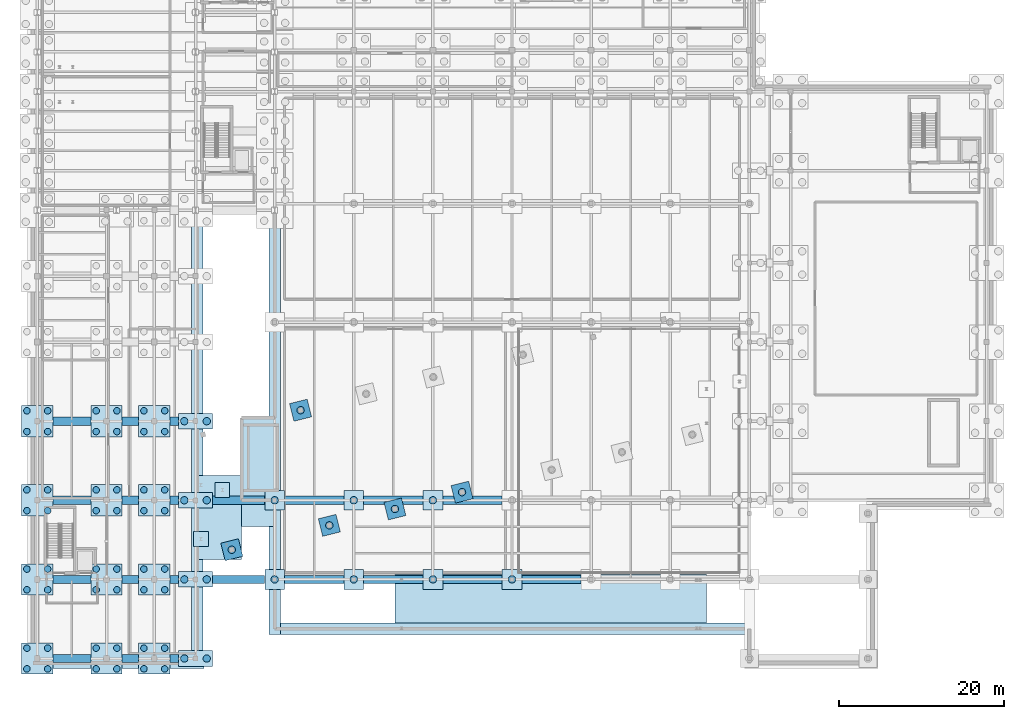
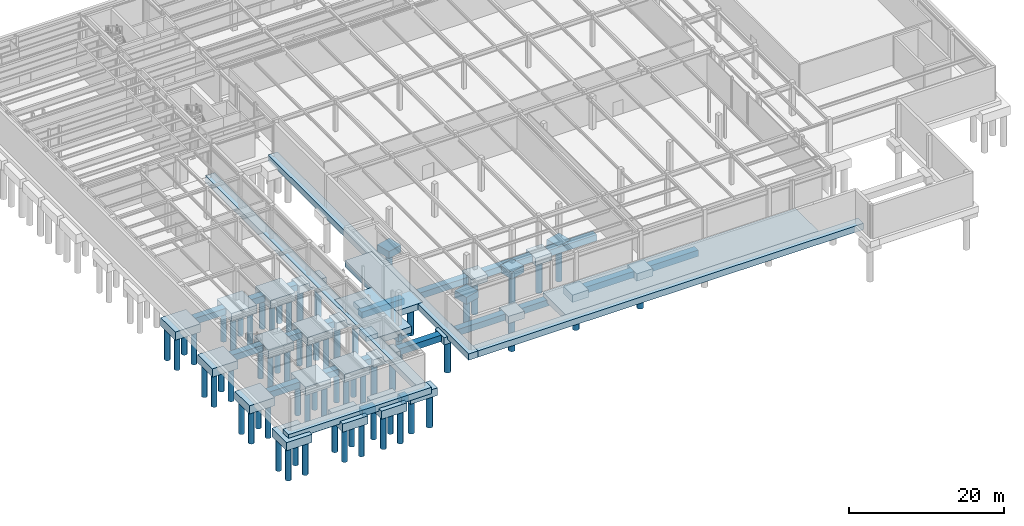
# One storey, part 1 of 33: 68 piles, 58 footings.
"""IFC4 building model written with IfcOpenShell, lengths in metres."""

from ifc_helpers import new_model, si_unit, direction, frame, origin, origin_2d, place, context, subcontext, project, spatial, polyline, rectangle, circle, outline, extrude, material, material_profile, profile_set, type_object, element, save


model = new_model("IFC4")

# Units and contexts
model_context = context("Model", 3, precision=1e-05, world=origin(), true_north=direction((0.0, 1.0)))
body_context = subcontext(model_context, "Body", "Model", "MODEL_VIEW")
ifc_project = project(units=[si_unit("LENGTHUNIT", "METRE"), si_unit("AREAUNIT", "SQUARE_METRE"), si_unit("VOLUMEUNIT", "CUBIC_METRE"), si_unit("PLANEANGLEUNIT", "RADIAN"), si_unit("MASSUNIT", "GRAM", prefix="KILO")], contexts=[model_context])

# Site, building, storey
site_placement = place(None, origin())
site = spatial("IfcSite", under=ifc_project, at=site_placement, CompositionType="ELEMENT")
building_placement = place(site_placement, origin())
building = spatial("IfcBuilding", under=site, at=building_placement, Name="Nordkorset Police Headquarters", CompositionType="ELEMENT")
storey_placement = place(building_placement, frame((0.0, 0.0, -9.800048828125)))
storey = spatial("IfcBuildingStorey", under=building, at=storey_placement, Name="B02", CompositionType="ELEMENT", Elevation=-9.800048828125)

# Piles
ifc_material_1 = material(Name="Concrete C45/55", Category="concrete")
ifc_material_profile_1 = material_profile(ifc_material_1, circle(Radius=0.39990234375, at=origin_2d()), Name="PILE D800")
ifc_profile_set_1 = profile_set([ifc_material_profile_1], Name="Concrete C45/55")
pile_type_1 = type_object("IfcPileType", Name="Bored_PILE_D800", PredefinedType="BORED", material=ifc_profile_set_1)
for number, where, z_axis, x_axis, name in (
    (1, (-1.260009765625, 27.5400390625, -1.800048828125), (0.0, 0.0, -1.0), (1.0, 0.0, 0.0), "Rock-Socketed Bored Pile V3_X0_0-1"),
    (2, (1.260009765625, 27.5400390625, -1.800048828125), (0.0, 0.0, -1.0), (1.0, 0.0, 0.0), "Rock-Socketed Bored Pile V3_X0_0-2"),
    (3, (-1.260009765625, 30.06005859375, -1.800048828125), (0.0, 0.0, -1.0), (1.0, 0.0, 0.0), "Rock-Socketed Bored Pile V3_X0_0-3"),
    (4, (1.260009765625, 30.06005859375, -1.800048828125), (0.0, 0.0, -1.0), (1.0, 0.0, 0.0), "Rock-Socketed Bored Pile V3_X0_0-4"),
    (5, (7.139892578125, 27.5400390625, -1.800048828125), (0.0, 0.0, -1.0), (1.0, 0.0, 0.0), "Rock-Socketed Bored Pile V3_X1_0-1"),
    (6, (9.659912109375, 27.5400390625, -1.800048828125), (0.0, 0.0, -1.0), (1.0, 0.0, 0.0), "Rock-Socketed Bored Pile V3_X1_0-2"),
    (7, (7.139892578125, 30.06005859375, -1.800048828125), (0.0, 0.0, -1.0), (1.0, 0.0, 0.0), "Rock-Socketed Bored Pile V3_X1_0-3"),
    (8, (9.659912109375, 30.06005859375, -1.800048828125), (0.0, 0.0, -1.0), (1.0, 0.0, 0.0), "Rock-Socketed Bored Pile V3_X1_0-4"),
    (9, (12.93994140625, 27.5400390625, -1.800048828125), (0.0, 0.0, -1.0), (1.0, 0.0, 0.0), "Rock-Socketed Bored Pile V3_X2_0-1"),
    (10, (15.4599609375, 27.5400390625, -1.800048828125), (0.0, 0.0, -1.0), (1.0, 0.0, 0.0), "Rock-Socketed Bored Pile V3_X2_0-2"),
    (11, (12.93994140625, 30.06005859375, -1.800048828125), (0.0, 0.0, -1.0), (1.0, 0.0, 0.0), "Rock-Socketed Bored Pile V3_X2_0-3"),
    (12, (15.4599609375, 30.06005859375, -1.800048828125), (0.0, 0.0, -1.0), (1.0, 0.0, 0.0), "Rock-Socketed Bored Pile V3_X2_0-4"),
    (13, (-1.260009765625, 37.139892578125, -1.800048828125), (0.0, 0.0, -1.0), (1.0, 0.0, 0.0), "Rock-Socketed Bored Pile V3_X0_1-1"),
    (14, (1.260009765625, 37.139892578125, -1.800048828125), (0.0, 0.0, -1.0), (1.0, 0.0, 0.0), "Rock-Socketed Bored Pile V3_X0_1-2"),
    (15, (-1.260009765625, 39.659912109375, -1.800048828125), (0.0, 0.0, -1.0), (1.0, 0.0, 0.0), "Rock-Socketed Bored Pile V3_X0_1-3"),
    (16, (1.260009765625, 39.659912109375, -1.800048828125), (0.0, 0.0, -1.0), (1.0, 0.0, 0.0), "Rock-Socketed Bored Pile V3_X0_1-4"),
    (17, (7.139892578125, 37.139892578125, -1.800048828125), (0.0, 0.0, -1.0), (1.0, 0.0, 0.0), "Rock-Socketed Bored Pile V3_X1_1-1"),
    (18, (9.659912109375, 37.139892578125, -1.800048828125), (0.0, 0.0, -1.0), (1.0, 0.0, 0.0), "Rock-Socketed Bored Pile V3_X1_1-2"),
    (19, (7.139892578125, 39.659912109375, -1.800048828125), (0.0, 0.0, -1.0), (1.0, 0.0, 0.0), "Rock-Socketed Bored Pile V3_X1_1-3"),
    (20, (9.659912109375, 39.659912109375, -1.800048828125), (0.0, 0.0, -1.0), (1.0, 0.0, 0.0), "Rock-Socketed Bored Pile V3_X1_1-4"),
    (21, (12.93994140625, 37.139892578125, -1.800048828125), (0.0, 0.0, -1.0), (1.0, 0.0, 0.0), "Rock-Socketed Bored Pile V3_X2_1-1"),
    (22, (15.4599609375, 37.139892578125, -1.800048828125), (0.0, 0.0, -1.0), (1.0, 0.0, 0.0), "Rock-Socketed Bored Pile V3_X2_1-2"),
    (23, (12.93994140625, 39.659912109375, -1.800048828125), (0.0, 0.0, -1.0), (1.0, 0.0, 0.0), "Rock-Socketed Bored Pile V3_X2_1-3"),
    (24, (15.4599609375, 39.659912109375, -1.800048828125), (0.0, 0.0, -1.0), (1.0, 0.0, 0.0), "Rock-Socketed Bored Pile V3_X2_1-4"),
    (25, (-1.260009765625, 46.739990234375, -1.800048828125), (0.0, 0.0, -1.0), (1.0, 0.0, 0.0), "Rock-Socketed Bored Pile V3_X0_2-1"),
    (26, (1.260009765625, 46.739990234375, -1.800048828125), (0.0, 0.0, -1.0), (1.0, 0.0, 0.0), "Rock-Socketed Bored Pile V3_X0_2-2"),
    (27, (-1.260009765625, 49.260009765625, -1.800048828125), (0.0, 0.0, -1.0), (1.0, 0.0, 0.0), "Rock-Socketed Bored Pile V3_X0_2-3"),
    (28, (1.260009765625, 49.260009765625, -1.800048828125), (0.0, 0.0, -1.0), (1.0, 0.0, 0.0), "Rock-Socketed Bored Pile V3_X0_2-4"),
    (29, (7.139892578125, 46.739990234375, -1.800048828125), (0.0, 0.0, -1.0), (1.0, 0.0, 0.0), "Rock-Socketed Bored Pile V3_X1_2-1"),
    (30, (9.659912109375, 46.739990234375, -1.800048828125), (0.0, 0.0, -1.0), (1.0, 0.0, 0.0), "Rock-Socketed Bored Pile V3_X1_2-2"),
    (31, (7.139892578125, 49.260009765625, -1.800048828125), (0.0, 0.0, -1.0), (1.0, 0.0, 0.0), "Rock-Socketed Bored Pile V3_X1_2-3"),
    (32, (9.659912109375, 49.260009765625, -1.800048828125), (0.0, 0.0, -1.0), (1.0, 0.0, 0.0), "Rock-Socketed Bored Pile V3_X1_2-4"),
    (33, (12.93994140625, 46.739990234375, -1.800048828125), (0.0, 0.0, -1.0), (1.0, 0.0, 0.0), "Rock-Socketed Bored Pile V3_X2_2-1"),
    (34, (15.4599609375, 46.739990234375, -1.800048828125), (0.0, 0.0, -1.0), (1.0, 0.0, 0.0), "Rock-Socketed Bored Pile V3_X2_2-2"),
    (35, (12.93994140625, 49.260009765625, -1.800048828125), (0.0, 0.0, -1.0), (1.0, 0.0, 0.0), "Rock-Socketed Bored Pile V3_X2_2-3"),
    (36, (15.4599609375, 49.260009765625, -1.800048828125), (0.0, 0.0, -1.0), (1.0, 0.0, 0.0), "Rock-Socketed Bored Pile V3_X2_2-4"),
    (37, (-1.260009765625, 56.340087890625, -1.800048828125), (0.0, 0.0, -1.0), (1.0, 0.0, 0.0), "Rock-Socketed Bored Pile V3_X0_3-1"),
    (38, (1.260009765625, 56.340087890625, -1.800048828125), (0.0, 0.0, -1.0), (1.0, 0.0, 0.0), "Rock-Socketed Bored Pile V3_X0_3-2"),
    (39, (-1.260009765625, 58.860107421875, -1.800048828125), (0.0, 0.0, -1.0), (1.0, 0.0, 0.0), "Rock-Socketed Bored Pile V3_X0_3-3"),
    (40, (1.260009765625, 58.860107421875, -1.800048828125), (0.0, 0.0, -1.0), (1.0, 0.0, 0.0), "Rock-Socketed Bored Pile V3_X0_3-4"),
    (41, (7.139892578125, 56.340087890625, -1.800048828125), (0.0, 0.0, -1.0), (1.0, 0.0, 0.0), "Rock-Socketed Bored Pile V3_X1_3-1"),
    (42, (9.659912109375, 56.340087890625, -1.800048828125), (0.0, 0.0, -1.0), (1.0, 0.0, 0.0), "Rock-Socketed Bored Pile V3_X1_3-2"),
    (43, (7.139892578125, 58.860107421875, -1.800048828125), (0.0, 0.0, -1.0), (1.0, 0.0, 0.0), "Rock-Socketed Bored Pile V3_X1_3-3"),
    (44, (9.659912109375, 58.860107421875, -1.800048828125), (0.0, 0.0, -1.0), (1.0, 0.0, 0.0), "Rock-Socketed Bored Pile V3_X1_3-4"),
    (45, (12.93994140625, 56.340087890625, -1.800048828125), (0.0, 0.0, -1.0), (1.0, 0.0, 0.0), "Rock-Socketed Bored Pile V3_X2_3-1"),
    (46, (15.4599609375, 56.340087890625, -1.800048828125), (0.0, 0.0, -1.0), (1.0, 0.0, 0.0), "Rock-Socketed Bored Pile V3_X2_3-2"),
    (47, (12.93994140625, 58.860107421875, -1.800048828125), (0.0, 0.0, -1.0), (1.0, 0.0, 0.0), "Rock-Socketed Bored Pile V3_X2_3-3"),
    (48, (15.4599609375, 58.860107421875, -1.800048828125), (0.0, 0.0, -1.0), (1.0, 0.0, 0.0), "Rock-Socketed Bored Pile V3_X2_3-4"),
):
    element("IfcPile", number, at=place(storey_placement, frame(where, z_axis=z_axis, x_axis=x_axis)), inside=storey, type_object=pile_type_1, Name=name, PredefinedType="BORED", context=body_context, shape_type="SweptSolid", body=[
        extrude(circle(Radius=0.39990234375, at=origin_2d()), origin(), (0.0, 0.0, 1.0), 5.199951171875),
    ])
ifc_material_2 = material(Name="Concrete C45/55", Category="concrete")
ifc_material_profile_2 = material_profile(ifc_material_2, circle(Radius=0.449951171875, at=origin_2d()), Name="PILE D900")
ifc_profile_set_2 = profile_set([ifc_material_profile_2], Name="Concrete C45/55")
pile_type_2 = type_object("IfcPileType", Name="Bored_PILE_D900", PredefinedType="BORED", material=ifc_profile_set_2)
for number, where, z_axis, x_axis, name in (
    (49, (17.840087890625, 28.800048828125, -1.699951171875), (0.0, 0.0, -1.0), (1.0, 0.0, 0.0), "Rock-Socketed Bored Pile V3_X3_0-1"),
    (50, (20.56005859375, 28.800048828125, -1.699951171875), (0.0, 0.0, -1.0), (1.0, 0.0, 0.0), "Rock-Socketed Bored Pile V3_X3_0-2"),
    (51, (17.840087890625, 38.39990234375, -1.699951171875), (0.0, 0.0, -1.0), (1.0, 0.0, 0.0), "Rock-Socketed Bored Pile V3_X3_1-1"),
    (52, (20.56005859375, 38.39990234375, -1.699951171875), (0.0, 0.0, -1.0), (1.0, 0.0, 0.0), "Rock-Socketed Bored Pile V3_X3_1-2"),
    (53, (17.840087890625, 48.0, -1.699951171875), (0.0, 0.0, -1.0), (1.0, 0.0, 0.0), "Rock-Socketed Bored Pile V3_X3_2-1"),
    (54, (20.56005859375, 48.0, -1.699951171875), (0.0, 0.0, -1.0), (1.0, 0.0, 0.0), "Rock-Socketed Bored Pile V3_X3_2-2"),
    (55, (17.840087890625, 57.60009765625, -1.699951171875), (0.0, 0.0, -1.0), (1.0, 0.0, 0.0), "Rock-Socketed Bored Pile V3_X3_3-1"),
    (56, (20.56005859375, 57.60009765625, -1.699951171875), (0.0, 0.0, -1.0), (1.0, 0.0, 0.0), "Rock-Socketed Bored Pile V3_X3_3-2"),
):
    element("IfcPile", number, at=place(storey_placement, frame(where, z_axis=z_axis, x_axis=x_axis)), inside=storey, type_object=pile_type_2, Name=name, PredefinedType="BORED", context=body_context, shape_type="SweptSolid", body=[
        extrude(circle(Radius=0.449951171875, at=origin_2d()), origin(), (0.0, 0.0, 1.0), 5.300048828125),
    ])
for number, where, z_axis, x_axis, name in (
    (57, (28.800048828125, 38.39990234375, -1.64990234375), (0.0, 0.0, -1.0), (1.0, 0.0, 0.0), "Rock-Socketed Bored Pile SUB_C_0_0-1"),
    (58, (28.800048828125, 48.0, -1.64990234375), (0.0, 0.0, -1.0), (1.0, 0.0, 0.0), "Rock-Socketed Bored Pile SUB_C_0_1-1"),
    (59, (38.39990234375, 38.39990234375, -1.64990234375), (0.0, 0.0, -1.0), (1.0, 0.0, 0.0), "Rock-Socketed Bored Pile SUB_C_1_0-1"),
    (60, (38.39990234375, 48.0, -1.64990234375), (0.0, 0.0, -1.0), (1.0, 0.0, 0.0), "Rock-Socketed Bored Pile SUB_C_1_1-1"),
    (61, (48.0, 38.39990234375, -1.64990234375), (0.0, 0.0, -1.0), (1.0, 0.0, 0.0), "Rock-Socketed Bored Pile SUB_C_2_0-1"),
    (62, (48.0, 48.0, -1.64990234375), (0.0, 0.0, -1.0), (1.0, 0.0, 0.0), "Rock-Socketed Bored Pile SUB_C_2_1-1"),
    (63, (57.60009765625, 38.39990234375, -1.64990234375), (0.0, 0.0, -1.0), (1.0, 0.0, 0.0), "Rock-Socketed Bored Pile SUB_C_3_0-1"),
):
    element("IfcPile", number, at=place(storey_placement, frame(where, z_axis=z_axis, x_axis=x_axis)), inside=storey, type_object=pile_type_2, Name=name, PredefinedType="BORED", context=body_context, shape_type="SweptSolid", body=[
        extrude(circle(Radius=0.449951171875, at=origin_2d()), origin(), (0.0, 0.0, 1.0), 5.35009765625),
    ])
for number, where, z_axis, x_axis, name in (
    (64, (23.60009765625, 42.0, -1.599853515625), (0.0, 0.0, -1.0), (1.0, 0.0, 0.0), "Rock-Socketed Bored Pile V4_U0_V0-1"),
    (65, (35.435791015625, 44.958984375, -1.599853515625), (0.0, 0.0, -1.0), (1.0, 0.0, 0.0), "Rock-Socketed Bored Pile V4_U1_V0-1"),
    (66, (31.943115234375, 58.928955078125, -1.599853515625), (0.0, 0.0, -1.0), (1.0, 0.0, 0.0), "Rock-Socketed Bored Pile V4_U1_V1-1"),
    (67, (43.390869140625, 46.94775390625, -1.599853515625), (0.0, 0.0, -1.0), (1.0, 0.0, 0.0), "Rock-Socketed Bored Pile V4_U2_V0-1"),
    (68, (51.5400390625, 48.985107421875, -1.599853515625), (0.0, 0.0, -1.0), (1.0, 0.0, 0.0), "Rock-Socketed Bored Pile V4_U3_V0-1"),
):
    element("IfcPile", number, at=place(storey_placement, frame(where, z_axis=z_axis, x_axis=x_axis)), inside=storey, type_object=pile_type_2, Name=name, PredefinedType="BORED", context=body_context, shape_type="SweptSolid", body=[
        extrude(circle(Radius=0.449951171875, at=origin_2d()), origin(), (0.0, 0.0, 1.0), 5.39990234375),
    ])

# Footings
ifc_material_3 = material(Name="Concrete C35/45", Category="concrete")
footing_type_1 = type_object("IfcFootingType", Name="Cap_2200x2200x1100", PredefinedType="PILE_CAP", material=ifc_material_3)
for number, where, z_axis, x_axis, name in (
    (69, (23.60009765625, 42.0, -1.699951171875), (0.0, 0.0, 1.0), (0.970142500145, 0.242535625038, 0.0), "Reinforced Concrete Pile Cap V4_U0_V0"),
    (70, (35.435791015625, 44.958984375, -1.699951171875), (0.0, 0.0, 1.0), (0.970142500145, 0.242535625038, 0.0), "Reinforced Concrete Pile Cap V4_U1_V0"),
    (71, (31.943115234375, 58.928955078125, -1.699951171875), (0.0, 0.0, 1.0), (0.970142500145, 0.242535625038, 0.0), "Reinforced Concrete Pile Cap V4_U1_V1"),
    (72, (43.390869140625, 46.94775390625, -1.699951171875), (0.0, 0.0, 1.0), (0.970142500145, 0.242535625038, 0.0), "Reinforced Concrete Pile Cap V4_U2_V0"),
    (73, (51.5400390625, 48.985107421875, -1.699951171875), (0.0, 0.0, 1.0), (0.970142500145, 0.242535625038, 0.0), "Reinforced Concrete Pile Cap V4_U3_V0"),
):
    element("IfcFooting", number, at=place(storey_placement, frame(where, z_axis=z_axis, x_axis=x_axis)), inside=storey, type_object=footing_type_1, Name=name, PredefinedType="PILE_CAP", context=body_context, shape_type="SweptSolid", body=[
        extrude(rectangle(XDim=2.199951171875, YDim=2.199951171875, at=origin_2d()), origin(), (0.0, 0.0, 1.0), 1.10009765625),
    ])
ifc_material_4 = material(Name="Concrete C35/45", Category="concrete")
footing_type_2 = type_object("IfcFootingType", Name="Cap_2400x2400x1150", PredefinedType="PILE_CAP", material=ifc_material_4)
for number, where, z_axis, x_axis, name in (
    (74, (28.800048828125, 38.39990234375, -1.75), (0.0, 0.0, 1.0), (1.0, 0.0, 0.0), "Reinforced Concrete Pile Cap SUB_C_0_0"),
    (75, (28.800048828125, 48.0, -1.75), (0.0, 0.0, 1.0), (1.0, 0.0, 0.0), "Reinforced Concrete Pile Cap SUB_C_0_1"),
    (76, (38.39990234375, 38.39990234375, -1.75), (0.0, 0.0, 1.0), (1.0, 0.0, 0.0), "Reinforced Concrete Pile Cap SUB_C_1_0"),
    (77, (38.39990234375, 48.0, -1.75), (0.0, 0.0, 1.0), (1.0, 0.0, 0.0), "Reinforced Concrete Pile Cap SUB_C_1_1"),
    (78, (48.0, 38.39990234375, -1.75), (0.0, 0.0, 1.0), (1.0, 0.0, 0.0), "Reinforced Concrete Pile Cap SUB_C_2_0"),
    (79, (48.0, 48.0, -1.75), (0.0, 0.0, 1.0), (1.0, 0.0, 0.0), "Reinforced Concrete Pile Cap SUB_C_2_1"),
    (80, (57.60009765625, 38.39990234375, -1.75), (0.0, 0.0, 1.0), (1.0, 0.0, 0.0), "Reinforced Concrete Pile Cap SUB_C_3_0"),
):
    element("IfcFooting", number, at=place(storey_placement, frame(where, z_axis=z_axis, x_axis=x_axis)), inside=storey, type_object=footing_type_2, Name=name, PredefinedType="PILE_CAP", context=body_context, shape_type="SweptSolid", body=[
        extrude(rectangle(XDim=2.39990234375, YDim=2.39990234375, at=origin_2d()), origin(), (0.0, 0.0, 1.0), 1.14990234375),
    ])
ifc_material_5 = material(Name="Concrete C35/45", Category="concrete")
footing_type_3 = type_object("IfcFootingType", Name="Cap_3800x1900x1200", PredefinedType="PILE_CAP", material=ifc_material_5)
for number, where, z_axis, x_axis, name in (
    (81, (19.199951171875, 28.800048828125, -1.7998046875), (0.0, 0.0, 1.0), (1.0, 0.0, 0.0), "Reinforced Concrete Pile Cap V3_X3_0"),
    (82, (19.199951171875, 38.39990234375, -1.7998046875), (0.0, 0.0, 1.0), (1.0, 0.0, 0.0), "Reinforced Concrete Pile Cap V3_X3_1"),
    (83, (19.199951171875, 48.0, -1.7998046875), (0.0, 0.0, 1.0), (1.0, 0.0, 0.0), "Reinforced Concrete Pile Cap V3_X3_2"),
    (84, (19.199951171875, 57.60009765625, -1.7998046875), (0.0, 0.0, 1.0), (1.0, 0.0, 0.0), "Reinforced Concrete Pile Cap V3_X3_3"),
):
    element("IfcFooting", number, at=place(storey_placement, frame(where, z_axis=z_axis, x_axis=x_axis)), inside=storey, type_object=footing_type_3, Name=name, PredefinedType="PILE_CAP", context=body_context, shape_type="SweptSolid", body=[
        extrude(rectangle(XDim=4.10009765625, YDim=1.89990234375, at=origin_2d()), origin(), (0.0, 0.0, 1.0), 1.199951171875),
    ])
ifc_material_6 = material(Name="Concrete C35/45", Category="concrete")
footing_type_4 = type_object("IfcFootingType", Name="Cap_3800x3800x1300", PredefinedType="PILE_CAP", material=ifc_material_6)
for number, where, z_axis, x_axis, name in (
    (85, (0.0, 28.800048828125, -1.89990234375), (0.0, 0.0, 1.0), (1.0, 0.0, 0.0), "Reinforced Concrete Pile Cap V3_X0_0"),
    (86, (8.39990234375, 28.800048828125, -1.89990234375), (0.0, 0.0, 1.0), (1.0, 0.0, 0.0), "Reinforced Concrete Pile Cap V3_X1_0"),
    (87, (14.199951171875, 28.800048828125, -1.89990234375), (0.0, 0.0, 1.0), (1.0, 0.0, 0.0), "Reinforced Concrete Pile Cap V3_X2_0"),
    (88, (0.0, 38.39990234375, -1.89990234375), (0.0, 0.0, 1.0), (1.0, 0.0, 0.0), "Reinforced Concrete Pile Cap V3_X0_1"),
    (89, (8.39990234375, 38.39990234375, -1.89990234375), (0.0, 0.0, 1.0), (1.0, 0.0, 0.0), "Reinforced Concrete Pile Cap V3_X1_1"),
    (90, (14.199951171875, 38.39990234375, -1.89990234375), (0.0, 0.0, 1.0), (1.0, 0.0, 0.0), "Reinforced Concrete Pile Cap V3_X2_1"),
    (91, (0.0, 48.0, -1.89990234375), (0.0, 0.0, 1.0), (1.0, 0.0, 0.0), "Reinforced Concrete Pile Cap V3_X0_2"),
    (92, (8.39990234375, 48.0, -1.89990234375), (0.0, 0.0, 1.0), (1.0, 0.0, 0.0), "Reinforced Concrete Pile Cap V3_X1_2"),
    (93, (14.199951171875, 48.0, -1.89990234375), (0.0, 0.0, 1.0), (1.0, 0.0, 0.0), "Reinforced Concrete Pile Cap V3_X2_2"),
    (94, (0.0, 57.60009765625, -1.89990234375), (0.0, 0.0, 1.0), (1.0, 0.0, 0.0), "Reinforced Concrete Pile Cap V3_X0_3"),
    (95, (8.39990234375, 57.60009765625, -1.89990234375), (0.0, 0.0, 1.0), (1.0, 0.0, 0.0), "Reinforced Concrete Pile Cap V3_X1_3"),
    (96, (14.199951171875, 57.60009765625, -1.89990234375), (0.0, 0.0, 1.0), (1.0, 0.0, 0.0), "Reinforced Concrete Pile Cap V3_X2_3"),
):
    element("IfcFooting", number, at=place(storey_placement, frame(where, z_axis=z_axis, x_axis=x_axis)), inside=storey, type_object=footing_type_4, Name=name, PredefinedType="PILE_CAP", context=body_context, shape_type="SweptSolid", body=[
        extrude(rectangle(XDim=3.800048828125, YDim=3.800048828125, at=origin_2d()), origin(), (0.0, 0.0, 1.0), 1.300048828125),
    ])
ifc_material_7 = material(Name="Concrete C35/45", Category="concrete")
footing_type_5 = type_object("IfcFootingType", Name="Pad_1800x1800x750", PredefinedType="PAD_FOOTING", material=ifc_material_7)
for number, where, z_axis, x_axis, name in (
    (97, (19.85009765625, 43.300048828125, -1.349853515625), (0.0, 0.0, 1.0), (1.0, 0.0, 0.0), "Bridge Pad Footing BRG_W_S"),
    (98, (22.449951171875, 49.25, -1.349853515625), (0.0, 0.0, 1.0), (1.0, 0.0, 0.0), "Bridge Pad Footing BRG_W_E1"),
):
    element("IfcFooting", number, at=place(storey_placement, frame(where, z_axis=z_axis, x_axis=x_axis)), inside=storey, type_object=footing_type_5, Name=name, PredefinedType="PAD_FOOTING", context=body_context, shape_type="SweptSolid", body=[
        extrude(rectangle(XDim=1.800048828125, YDim=1.800048828125, at=origin_2d()), origin(), (0.0, 0.0, 1.0), 0.75),
    ])
ifc_material_8 = material(Name="Concrete C35/45", Category="concrete")
footing_type_6 = type_object("IfcFootingType", Name="Strip_1000x1000", PredefinedType="STRIP_FOOTING", material=ifc_material_8)
footing_1_placement = place(storey_placement, frame((0.0, 0.0, -1.599853515625)))
element("IfcFooting", 99, at=footing_1_placement, inside=storey, type_object=footing_type_6, Name="Foundation Tie Strip Footing X-045", PredefinedType="STRIP_FOOTING", context=body_context, shape_type="SweptSolid", body=[
    extrude(outline(polyline([(1.903076171875, 28.300048828125), (6.4970703125, 28.300048828125), (6.4970703125, 29.300048828125), (1.903076171875, 29.300048828125), (1.903076171875, 28.300048828125)])), origin(), (0.0, 0.0, 1.0), 1.0),
])
footing_2_placement = place(storey_placement, frame((0.0, 0.0, -1.599853515625)))
element("IfcFooting", 100, at=footing_2_placement, inside=storey, type_object=footing_type_6, Name="Foundation Tie Strip Footing X-046", PredefinedType="STRIP_FOOTING", context=body_context, shape_type="SweptSolid", body=[
    extrude(outline(polyline([(10.302978515625, 28.300048828125), (12.297119140625, 28.300048828125), (12.297119140625, 29.300048828125), (10.302978515625, 29.300048828125), (10.302978515625, 28.300048828125)])), origin(), (0.0, 0.0, 1.0), 1.0),
])
footing_3_placement = place(storey_placement, frame((0.0, 0.0, -1.599853515625)))
element("IfcFooting", 101, at=footing_3_placement, inside=storey, type_object=footing_type_6, Name="Foundation Tie Strip Footing X-047", PredefinedType="STRIP_FOOTING", context=body_context, shape_type="SweptSolid", body=[
    extrude(outline(polyline([(16.10302734375, 28.300048828125), (17.14697265625, 28.300048828125), (17.14697265625, 29.300048828125), (16.10302734375, 29.300048828125), (16.10302734375, 28.300048828125)])), origin(), (0.0, 0.0, 1.0), 1.0),
])
footing_4_placement = place(storey_placement, frame((0.0, 0.0, -1.599853515625)))
element("IfcFooting", 102, at=footing_4_placement, inside=storey, type_object=footing_type_6, Name="Foundation Tie Strip Footing X-049", PredefinedType="STRIP_FOOTING", context=body_context, shape_type="SweptSolid", body=[
    extrude(outline(polyline([(1.903076171875, 37.89990234375), (6.4970703125, 37.89990234375), (6.4970703125, 38.89990234375), (1.903076171875, 38.89990234375), (1.903076171875, 37.89990234375)])), origin(), (0.0, 0.0, 1.0), 1.0),
])
footing_5_placement = place(storey_placement, frame((0.0, 0.0, -1.599853515625)))
element("IfcFooting", 103, at=footing_5_placement, inside=storey, type_object=footing_type_6, Name="Foundation Tie Strip Footing X-050", PredefinedType="STRIP_FOOTING", context=body_context, shape_type="SweptSolid", body=[
    extrude(outline(polyline([(10.302978515625, 37.89990234375), (12.297119140625, 37.89990234375), (12.297119140625, 38.89990234375), (10.302978515625, 38.89990234375), (10.302978515625, 37.89990234375)])), origin(), (0.0, 0.0, 1.0), 1.0),
])
footing_6_placement = place(storey_placement, frame((0.0, 0.0, -1.599853515625)))
element("IfcFooting", 104, at=footing_6_placement, inside=storey, type_object=footing_type_6, Name="Foundation Tie Strip Footing X-051", PredefinedType="STRIP_FOOTING", context=body_context, shape_type="SweptSolid", body=[
    extrude(outline(polyline([(16.10302734375, 37.89990234375), (17.14697265625, 37.89990234375), (17.14697265625, 38.89990234375), (16.10302734375, 38.89990234375), (16.10302734375, 37.89990234375)])), origin(), (0.0, 0.0, 1.0), 1.0),
])
footing_7_placement = place(storey_placement, frame((0.0, 0.0, -1.599853515625)))
element("IfcFooting", 105, at=footing_7_placement, inside=storey, type_object=footing_type_6, Name="Foundation Tie Strip Footing X-052", PredefinedType="STRIP_FOOTING", context=body_context, shape_type="SweptSolid", body=[
    extrude(outline(polyline([(21.2529296875, 37.89990234375), (27.596923828125, 37.89990234375), (27.596923828125, 38.89990234375), (21.2529296875, 38.89990234375), (21.2529296875, 37.89990234375)])), origin(), (0.0, 0.0, 1.0), 1.0),
])
footing_8_placement = place(storey_placement, frame((0.0, 0.0, -1.599853515625)))
element("IfcFooting", 106, at=footing_8_placement, inside=storey, type_object=footing_type_6, Name="Foundation Tie Strip Footing X-053", PredefinedType="STRIP_FOOTING", context=body_context, shape_type="SweptSolid", body=[
    extrude(outline(polyline([(30.0029296875, 37.89990234375), (37.197021484375, 37.89990234375), (37.197021484375, 38.89990234375), (30.0029296875, 38.89990234375), (30.0029296875, 37.89990234375)])), origin(), (0.0, 0.0, 1.0), 1.0),
])
footing_9_placement = place(storey_placement, frame((0.0, 0.0, -1.599853515625)))
element("IfcFooting", 107, at=footing_9_placement, inside=storey, type_object=footing_type_6, Name="Foundation Tie Strip Footing X-054", PredefinedType="STRIP_FOOTING", context=body_context, shape_type="SweptSolid", body=[
    extrude(outline(polyline([(39.60302734375, 37.89990234375), (46.797119140625, 37.89990234375), (46.797119140625, 38.89990234375), (39.60302734375, 38.89990234375), (39.60302734375, 37.89990234375)])), origin(), (0.0, 0.0, 1.0), 1.0),
])
footing_10_placement = place(storey_placement, frame((0.0, 0.0, -1.599853515625)))
element("IfcFooting", 108, at=footing_10_placement, inside=storey, type_object=footing_type_6, Name="Foundation Tie Strip Footing X-055", PredefinedType="STRIP_FOOTING", context=body_context, shape_type="SweptSolid", body=[
    extrude(outline(polyline([(49.202880859375, 37.89990234375), (56.39697265625, 37.89990234375), (56.39697265625, 38.89990234375), (49.202880859375, 38.89990234375), (49.202880859375, 37.89990234375)])), origin(), (0.0, 0.0, 1.0), 1.0),
])
footing_11_placement = place(storey_placement, frame((0.0, 0.0, -1.599853515625)))
element("IfcFooting", 109, at=footing_11_placement, inside=storey, type_object=footing_type_6, Name="Foundation Tie Strip Footing X-056", PredefinedType="STRIP_FOOTING", context=body_context, shape_type="SweptSolid", body=[
    extrude(outline(polyline([(58.802978515625, 37.89990234375), (65.9970703125, 37.89990234375), (65.9970703125, 38.89990234375), (58.802978515625, 38.89990234375), (58.802978515625, 37.89990234375)])), origin(), (0.0, 0.0, 1.0), 1.0),
])
footing_12_placement = place(storey_placement, frame((0.0, 0.0, -1.599853515625)))
element("IfcFooting", 110, at=footing_12_placement, inside=storey, type_object=footing_type_6, Name="Foundation Tie Strip Footing X-060", PredefinedType="STRIP_FOOTING", context=body_context, shape_type="SweptSolid", body=[
    extrude(outline(polyline([(1.903076171875, 47.5), (6.4970703125, 47.5), (6.4970703125, 48.5), (1.903076171875, 48.5), (1.903076171875, 47.5)])), origin(), (0.0, 0.0, 1.0), 1.0),
])
footing_13_placement = place(storey_placement, frame((0.0, 0.0, -1.599853515625)))
element("IfcFooting", 111, at=footing_13_placement, inside=storey, type_object=footing_type_6, Name="Foundation Tie Strip Footing X-061", PredefinedType="STRIP_FOOTING", context=body_context, shape_type="SweptSolid", body=[
    extrude(outline(polyline([(10.302978515625, 47.5), (12.297119140625, 47.5), (12.297119140625, 48.5), (10.302978515625, 48.5), (10.302978515625, 47.5)])), origin(), (0.0, 0.0, 1.0), 1.0),
])
footing_14_placement = place(storey_placement, frame((0.0, 0.0, -1.599853515625)))
element("IfcFooting", 112, at=footing_14_placement, inside=storey, type_object=footing_type_6, Name="Foundation Tie Strip Footing X-062", PredefinedType="STRIP_FOOTING", context=body_context, shape_type="SweptSolid", body=[
    extrude(outline(polyline([(16.10302734375, 47.5), (17.14697265625, 47.5), (17.14697265625, 48.5), (16.10302734375, 48.5), (16.10302734375, 47.5)])), origin(), (0.0, 0.0, 1.0), 1.0),
])
footing_15_placement = place(storey_placement, frame((0.0, 0.0, -1.599853515625)))
element("IfcFooting", 113, at=footing_15_placement, inside=storey, type_object=footing_type_6, Name="Foundation Tie Strip Footing X-063", PredefinedType="STRIP_FOOTING", context=body_context, shape_type="SweptSolid", body=[
    extrude(outline(polyline([(21.2529296875, 47.5), (27.596923828125, 47.5), (27.596923828125, 48.5), (21.2529296875, 48.5), (21.2529296875, 47.5)])), origin(), (0.0, 0.0, 1.0), 1.0),
])
footing_16_placement = place(storey_placement, frame((0.0, 0.0, -1.599853515625)))
element("IfcFooting", 114, at=footing_16_placement, inside=storey, type_object=footing_type_6, Name="Foundation Tie Strip Footing X-064", PredefinedType="STRIP_FOOTING", context=body_context, shape_type="SweptSolid", body=[
    extrude(outline(polyline([(30.0029296875, 47.5), (37.197021484375, 47.5), (37.197021484375, 48.5), (30.0029296875, 48.5), (30.0029296875, 47.5)])), origin(), (0.0, 0.0, 1.0), 1.0),
])
footing_17_placement = place(storey_placement, frame((0.0, 0.0, -1.599853515625)))
element("IfcFooting", 115, at=footing_17_placement, inside=storey, type_object=footing_type_6, Name="Foundation Tie Strip Footing X-065", PredefinedType="STRIP_FOOTING", context=body_context, shape_type="SweptSolid", body=[
    extrude(outline(polyline([(39.60302734375, 47.5), (46.797119140625, 47.5), (46.797119140625, 48.5), (39.60302734375, 48.5), (39.60302734375, 47.5)])), origin(), (0.0, 0.0, 1.0), 1.0),
])
footing_18_placement = place(storey_placement, frame((0.0, 0.0, -1.599853515625)))
element("IfcFooting", 116, at=footing_18_placement, inside=storey, type_object=footing_type_6, Name="Foundation Tie Strip Footing X-066", PredefinedType="STRIP_FOOTING", context=body_context, shape_type="SweptSolid", body=[
    extrude(outline(polyline([(49.202880859375, 47.5), (56.39697265625, 47.5), (56.39697265625, 48.5), (49.202880859375, 48.5), (49.202880859375, 47.5)])), origin(), (0.0, 0.0, 1.0), 1.0),
])
footing_19_placement = place(storey_placement, frame((0.0, 0.0, -1.599853515625)))
element("IfcFooting", 117, at=footing_19_placement, inside=storey, type_object=footing_type_6, Name="Foundation Tie Strip Footing X-071", PredefinedType="STRIP_FOOTING", context=body_context, shape_type="SweptSolid", body=[
    extrude(outline(polyline([(1.903076171875, 57.10009765625), (6.4970703125, 57.10009765625), (6.4970703125, 58.10009765625), (1.903076171875, 58.10009765625), (1.903076171875, 57.10009765625)])), origin(), (0.0, 0.0, 1.0), 1.0),
])
footing_20_placement = place(storey_placement, frame((0.0, 0.0, -1.599853515625)))
element("IfcFooting", 118, at=footing_20_placement, inside=storey, type_object=footing_type_6, Name="Foundation Tie Strip Footing X-072", PredefinedType="STRIP_FOOTING", context=body_context, shape_type="SweptSolid", body=[
    extrude(outline(polyline([(10.302978515625, 57.10009765625), (12.297119140625, 57.10009765625), (12.297119140625, 58.10009765625), (10.302978515625, 58.10009765625), (10.302978515625, 57.10009765625)])), origin(), (0.0, 0.0, 1.0), 1.0),
])
footing_21_placement = place(storey_placement, frame((0.0, 0.0, -1.599853515625)))
element("IfcFooting", 119, at=footing_21_placement, inside=storey, type_object=footing_type_6, Name="Foundation Tie Strip Footing X-073", PredefinedType="STRIP_FOOTING", context=body_context, shape_type="SweptSolid", body=[
    extrude(outline(polyline([(16.10302734375, 57.10009765625), (17.14697265625, 57.10009765625), (17.14697265625, 58.10009765625), (16.10302734375, 58.10009765625), (16.10302734375, 57.10009765625)])), origin(), (0.0, 0.0, 1.0), 1.0),
])
footing_22_placement = place(storey_placement, frame((0.0, 0.0, -1.0)))
element("IfcFooting", 120, at=footing_22_placement, inside=storey, type_object=footing_type_6, Name="Subterranean Perimeter Strip Footing FTG-RET-S1", PredefinedType="STRIP_FOOTING", context=body_context, shape_type="SweptSolid", body=[
    extrude(outline(polyline([(-1.199951171875, 27.60009765625), (20.199951171875, 27.60009765625), (20.199951171875, 29.0), (-1.199951171875, 29.0), (-1.199951171875, 27.60009765625)])), origin(), (0.0, 0.0, 1.0), 1.0),
])
footing_23_placement = place(storey_placement, frame((0.0, 0.0, -1.0)))
element("IfcFooting", 121, at=footing_23_placement, inside=storey, type_object=footing_type_6, Name="Subterranean Perimeter Strip Footing FTG-RET-S2A", PredefinedType="STRIP_FOOTING", context=body_context, shape_type="SweptSolid", body=[
    extrude(outline(polyline([(18.699951171875, 27.60009765625), (20.10009765625, 27.60009765625), (20.10009765625, 83.60009765625), (18.699951171875, 83.60009765625), (18.699951171875, 27.60009765625)])), origin(), (0.0, 0.0, 1.0), 1.0),
])
footing_24_placement = place(storey_placement, frame((0.0, 0.0, -1.0)))
element("IfcFooting", 122, at=footing_24_placement, inside=storey, type_object=footing_type_6, Name="Subterranean Perimeter Strip Footing FTG-RET-S2B", PredefinedType="STRIP_FOOTING", context=body_context, shape_type="SweptSolid", body=[
    extrude(outline(polyline([(28.10009765625, 31.699951171875), (29.5, 31.699951171875), (29.5, 83.60009765625), (28.10009765625, 83.60009765625), (28.10009765625, 31.699951171875)])), origin(), (0.0, 0.0, 1.0), 1.0),
])
footing_25_placement = place(storey_placement, frame((0.0, 0.0, -1.0)))
element("IfcFooting", 123, at=footing_25_placement, inside=storey, type_object=footing_type_6, Name="Subterranean Perimeter Strip Footing FTG-RET-S3", PredefinedType="STRIP_FOOTING", context=body_context, shape_type="SweptSolid", body=[
    extrude(outline(polyline([(28.10009765625, 31.699951171875), (87.10009765625, 31.699951171875), (87.10009765625, 33.10009765625), (28.10009765625, 33.10009765625), (28.10009765625, 31.699951171875)])), origin(), (0.0, 0.0, 1.0), 1.0),
])
footing_26_placement = place(storey_placement, frame((0.0, 0.0, -1.0)))
element("IfcFooting", 124, at=footing_26_placement, inside=storey, type_object=footing_type_6, Name="Subterranean Perimeter Strip Footing FTG-RAMP-PIERS", PredefinedType="STRIP_FOOTING", context=body_context, shape_type="SweptSolid", body=[
    extrude(outline(polyline([(43.39990234375, 31.800048828125), (81.199951171875, 31.800048828125), (81.199951171875, 39.0), (43.39990234375, 39.0), (43.39990234375, 31.800048828125)])), origin(), (0.0, 0.0, 1.0), 1.0),
])
footing_27_placement = place(storey_placement, frame((0.0, 0.0, -1.0)))
element("IfcFooting", 125, at=footing_27_placement, inside=storey, type_object=footing_type_6, Name="Subterranean Perimeter Strip Footing FTG-K7-RAFT", PredefinedType="STRIP_FOOTING", context=body_context, shape_type="SweptSolid", body=[
    extrude(outline(polyline([(24.800048828125, 44.800048828125), (28.800048828125, 44.800048828125), (28.800048828125, 58.0), (24.800048828125, 58.0), (24.800048828125, 44.800048828125)])), origin(), (0.0, 0.0, 1.0), 1.0),
])
footing_28_placement = place(storey_placement, frame((0.0, 0.0, -1.0)))
element("IfcFooting", 126, at=footing_28_placement, inside=storey, type_object=footing_type_6, Name="Subterranean Perimeter Strip Footing FTG-BRGW-PIERS", PredefinedType="STRIP_FOOTING", context=body_context, shape_type="SweptSolid", body=[
    extrude(outline(polyline([(19.199951171875, 40.800048828125), (24.800048828125, 40.800048828125), (24.800048828125, 51.0), (19.199951171875, 51.0), (19.199951171875, 40.800048828125)])), origin(), (0.0, 0.0, 1.0), 1.0),
])

save(model, "model.ifc")
